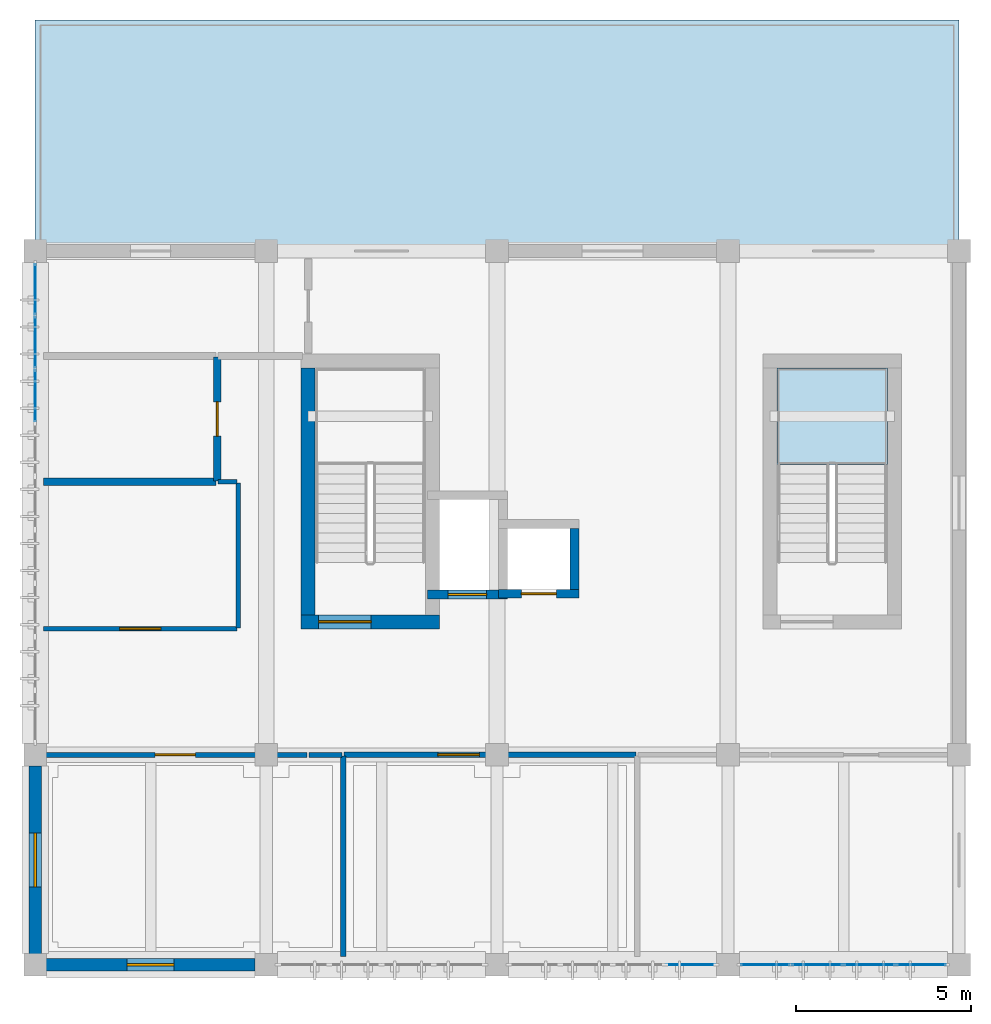
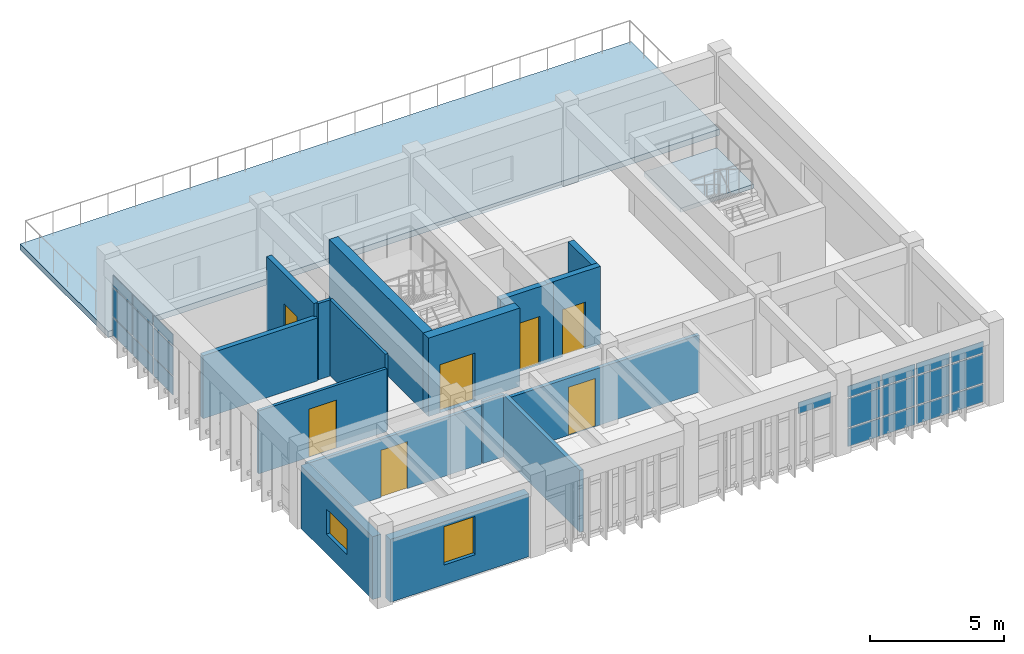
# One storey, part 4 of 8: 22 plates, 16 walls, 7 doors, 2 slabs, 2 windows, 9 openings, 4 elements without a shape of their own.
"""IFC4 building model written with IfcOpenShell, lengths in metres."""

from ifc_helpers import new_model, si_unit, direction, frame, frame_2d, origin, origin_2d, place, context, subcontext, project, spatial, polyline, rectangle, outline, extrude, material, layer, layer_set, type_object, element, fill, aggregate, save


model = new_model("IFC4")

# Units and contexts
model_context = context("Model", 3, precision=1e-05, world=origin(), true_north=direction((0.0, 1.0)))
body_context = subcontext(model_context, "Body", "Model", "MODEL_VIEW")
ifc_project = project(units=[si_unit("LENGTHUNIT", "METRE"), si_unit("AREAUNIT", "SQUARE_METRE"), si_unit("VOLUMEUNIT", "CUBIC_METRE"), si_unit("PLANEANGLEUNIT", "RADIAN"), si_unit("MASSUNIT", "GRAM", prefix="KILO")], contexts=[model_context])

# Site, building, storey
site_placement = place(None, origin())
site = spatial("IfcSite", under=ifc_project, at=site_placement, CompositionType="ELEMENT")
building_placement = place(site_placement, origin())
building = spatial("IfcBuilding", under=site, at=building_placement, Name="Miralva Faculty of Natural Sciences", CompositionType="ELEMENT")
storey_placement = place(building_placement, frame((0.0, 0.0, 36.800048828125)))
storey = spatial("IfcBuildingStorey", under=building, at=storey_placement, Name="L08", CompositionType="ELEMENT", Elevation=36.800048828125)

# Curtain wall, plate
ifc_material_1 = material(Name="Laminated solar-control glass", Category="glass")
ifc_layer_1 = layer(ifc_material_1, 0.179931640625, Name="CW-TWR-L07")
ifc_layer_set_1 = layer_set([ifc_layer_1], Name="Laminated solar-control glass")
curtain_wall_type = type_object("IfcCurtainWallType", Name="CW-TWR-L07", PredefinedType="USERDEFINED", material=ifc_layer_set_1)
curtain_wall_1_placement = place(storey_placement, origin())
curtain_wall_1 = element("IfcCurtainWall", 1, at=curtain_wall_1_placement, inside=storey, type_object=curtain_wall_type, Name="Curtain wall CW-15 L08-248", ObjectType="UNITISED CURTAIN WALL", PredefinedType="USERDEFINED")
ifc_layer_2 = layer(ifc_material_1, 0.028076171875, Name="PNL-P01")
ifc_layer_set_2 = layer_set([ifc_layer_2], Name="Laminated solar-control glass")
plate_type = type_object("IfcPlateType", Name="PNL-P01", PredefinedType="CURTAIN_PANEL", material=ifc_layer_set_2)
plate_1_placement = place(storey_placement, frame((21.72998046875, 3.0, 2.30517578125), z_axis=(0.0, 0.0, 1.0), x_axis=(1.0, 0.0, 0.0)))
plate_1 = element("IfcPlate", 2, at=plate_1_placement, type_object=plate_type, Name="CW-15 panel 4.3", PredefinedType="CURTAIN_PANEL", context=body_context, shape_type="SweptSolid", body=[
    extrude(rectangle(XDim=1.39990234375, YDim=0.028076171875, at=origin_2d()), origin(), (0.0, 0.0, 1.0), 0.510009765625),
])
aggregate(curtain_wall_1, [plate_1])

# Curtain wall, plates
curtain_wall_2_placement = place(storey_placement, origin())
curtain_wall_2 = element("IfcCurtainWall", 3, at=curtain_wall_2_placement, inside=storey, type_object=curtain_wall_type, Name="Curtain wall CW-15 L08-249", ObjectType="UNITISED CURTAIN WALL", PredefinedType="USERDEFINED")
plate_2_placement = place(storey_placement, frame((23.86865234375, 3.0, 0.059814453125), z_axis=(0.0, 0.0, 1.0), x_axis=(1.0, 0.0, 0.0)))
plate_2 = element("IfcPlate", 4, at=plate_2_placement, type_object=plate_type, Name="CW-15 panel 1.1", PredefinedType="CURTAIN_PANEL", context=body_context, shape_type="SweptSolid", body=[
    extrude(rectangle(XDim=1.3974609375, YDim=0.028076171875, at=origin_2d()), origin(), (0.0, 0.0, 1.0), 0.81005859375),
])
plate_3_placement = place(storey_placement, frame((23.86865234375, 3.0, 0.929931640625), z_axis=(0.0, 0.0, 1.0), x_axis=(1.0, 0.0, 0.0)))
plate_3 = element("IfcPlate", 5, at=plate_3_placement, type_object=plate_type, Name="CW-15 panel 1.2", PredefinedType="CURTAIN_PANEL", context=body_context, shape_type="SweptSolid", body=[
    extrude(rectangle(XDim=1.3974609375, YDim=0.028076171875, at=origin_2d()), origin(), (0.0, 0.0, 1.0), 1.31494140625),
])
plate_4_placement = place(storey_placement, frame((23.86865234375, 3.0, 2.30517578125), z_axis=(0.0, 0.0, 1.0), x_axis=(1.0, 0.0, 0.0)))
plate_4 = element("IfcPlate", 6, at=plate_4_placement, type_object=plate_type, Name="CW-15 panel 1.3", PredefinedType="CURTAIN_PANEL", context=body_context, shape_type="SweptSolid", body=[
    extrude(rectangle(XDim=1.3974609375, YDim=0.028076171875, at=origin_2d()), origin(), (0.0, 0.0, 1.0), 0.510009765625),
])
plate_5_placement = place(storey_placement, frame((25.347412109375, 3.0, 0.059814453125), z_axis=(0.0, 0.0, 1.0), x_axis=(1.0, 0.0, 0.0)))
plate_5 = element("IfcPlate", 7, at=plate_5_placement, type_object=plate_type, Name="CW-15 panel 2.1", PredefinedType="CURTAIN_PANEL", context=body_context, shape_type="SweptSolid", body=[
    extrude(rectangle(XDim=1.429931640625, YDim=0.028076171875, at=origin_2d()), origin(), (0.0, 0.0, 1.0), 0.81005859375),
])
plate_6_placement = place(storey_placement, frame((25.347412109375, 3.0, 0.929931640625), z_axis=(0.0, 0.0, 1.0), x_axis=(1.0, 0.0, 0.0)))
plate_6 = element("IfcPlate", 8, at=plate_6_placement, type_object=plate_type, Name="CW-15 panel 2.2", PredefinedType="CURTAIN_PANEL", context=body_context, shape_type="SweptSolid", body=[
    extrude(rectangle(XDim=1.429931640625, YDim=0.028076171875, at=origin_2d()), origin(), (0.0, 0.0, 1.0), 1.31494140625),
])
plate_7_placement = place(storey_placement, frame((25.347412109375, 3.0, 2.30517578125), z_axis=(0.0, 0.0, 1.0), x_axis=(1.0, 0.0, 0.0)))
plate_7 = element("IfcPlate", 9, at=plate_7_placement, type_object=plate_type, Name="CW-15 panel 2.3", PredefinedType="CURTAIN_PANEL", context=body_context, shape_type="SweptSolid", body=[
    extrude(rectangle(XDim=1.429931640625, YDim=0.028076171875, at=origin_2d()), origin(), (0.0, 0.0, 1.0), 0.510009765625),
])
plate_8_placement = place(storey_placement, frame((26.842529296875, 3.0, 0.059814453125), z_axis=(0.0, 0.0, 1.0), x_axis=(1.0, 0.0, 0.0)))
plate_8 = element("IfcPlate", 10, at=plate_8_placement, type_object=plate_type, Name="CW-15 panel 3.1", PredefinedType="CURTAIN_PANEL", context=body_context, shape_type="SweptSolid", body=[
    extrude(rectangle(XDim=1.429931640625, YDim=0.028076171875, at=origin_2d()), origin(), (0.0, 0.0, 1.0), 0.81005859375),
])
plate_9_placement = place(storey_placement, frame((26.842529296875, 3.0, 0.929931640625), z_axis=(0.0, 0.0, 1.0), x_axis=(1.0, 0.0, 0.0)))
plate_9 = element("IfcPlate", 11, at=plate_9_placement, type_object=plate_type, Name="CW-15 panel 3.2", PredefinedType="CURTAIN_PANEL", context=body_context, shape_type="SweptSolid", body=[
    extrude(rectangle(XDim=1.429931640625, YDim=0.028076171875, at=origin_2d()), origin(), (0.0, 0.0, 1.0), 1.31494140625),
])
plate_10_placement = place(storey_placement, frame((26.842529296875, 3.0, 2.30517578125), z_axis=(0.0, 0.0, 1.0), x_axis=(1.0, 0.0, 0.0)))
plate_10 = element("IfcPlate", 12, at=plate_10_placement, type_object=plate_type, Name="CW-15 panel 3.3", PredefinedType="CURTAIN_PANEL", context=body_context, shape_type="SweptSolid", body=[
    extrude(rectangle(XDim=1.429931640625, YDim=0.028076171875, at=origin_2d()), origin(), (0.0, 0.0, 1.0), 0.510009765625),
])
plate_11_placement = place(storey_placement, frame((28.3212890625, 3.0, 0.059814453125), z_axis=(0.0, 0.0, 1.0), x_axis=(1.0, 0.0, 0.0)))
plate_11 = element("IfcPlate", 13, at=plate_11_placement, type_object=plate_type, Name="CW-15 panel 4.1", PredefinedType="CURTAIN_PANEL", context=body_context, shape_type="SweptSolid", body=[
    extrude(rectangle(XDim=1.3974609375, YDim=0.028076171875, at=origin_2d()), origin(), (0.0, 0.0, 1.0), 0.81005859375),
])
plate_12_placement = place(storey_placement, frame((28.3212890625, 3.0, 0.929931640625), z_axis=(0.0, 0.0, 1.0), x_axis=(1.0, 0.0, 0.0)))
plate_12 = element("IfcPlate", 14, at=plate_12_placement, type_object=plate_type, Name="CW-15 panel 4.2", PredefinedType="CURTAIN_PANEL", context=body_context, shape_type="SweptSolid", body=[
    extrude(rectangle(XDim=1.3974609375, YDim=0.028076171875, at=origin_2d()), origin(), (0.0, 0.0, 1.0), 1.31494140625),
])
plate_13_placement = place(storey_placement, frame((28.3212890625, 3.0, 2.30517578125), z_axis=(0.0, 0.0, 1.0), x_axis=(1.0, 0.0, 0.0)))
plate_13 = element("IfcPlate", 15, at=plate_13_placement, type_object=plate_type, Name="CW-15 panel 4.3", PredefinedType="CURTAIN_PANEL", context=body_context, shape_type="SweptSolid", body=[
    extrude(rectangle(XDim=1.3974609375, YDim=0.028076171875, at=origin_2d()), origin(), (0.0, 0.0, 1.0), 0.510009765625),
])
aggregate(curtain_wall_2, [plate_2, plate_3, plate_4, plate_5, plate_6, plate_7, plate_8, plate_9, plate_10, plate_11, plate_12, plate_13])

curtain_wall_3_placement = place(storey_placement, origin())
curtain_wall_3 = element("IfcCurtainWall", 16, at=curtain_wall_3_placement, inside=storey, type_object=curtain_wall_type, Name="Curtain wall CW-15 L08-250", ObjectType="UNITISED CURTAIN WALL", PredefinedType="USERDEFINED")
plate_14_placement = place(storey_placement, frame((3.0, 19.260009765625, 0.059814453125), z_axis=(0.0, 0.0, 1.0), x_axis=(0.0, 1.0, 0.0)))
plate_14 = element("IfcPlate", 17, at=plate_14_placement, type_object=plate_type, Name="CW-15 panel 7.1", PredefinedType="CURTAIN_PANEL", context=body_context, shape_type="SweptSolid", body=[
    extrude(rectangle(XDim=1.465087890625, YDim=0.028076171875, at=origin_2d()), origin(), (0.0, 0.0, 1.0), 0.81005859375),
])
plate_15_placement = place(storey_placement, frame((3.0, 19.260009765625, 0.929931640625), z_axis=(0.0, 0.0, 1.0), x_axis=(0.0, 1.0, 0.0)))
plate_15 = element("IfcPlate", 18, at=plate_15_placement, type_object=plate_type, Name="CW-15 panel 7.2", PredefinedType="CURTAIN_PANEL", context=body_context, shape_type="SweptSolid", body=[
    extrude(rectangle(XDim=1.465087890625, YDim=0.028076171875, at=origin_2d()), origin(), (0.0, 0.0, 1.0), 1.31494140625),
])
plate_16_placement = place(storey_placement, frame((3.0, 19.260009765625, 2.30517578125), z_axis=(0.0, 0.0, 1.0), x_axis=(0.0, 1.0, 0.0)))
plate_16 = element("IfcPlate", 19, at=plate_16_placement, type_object=plate_type, Name="CW-15 panel 7.3", PredefinedType="CURTAIN_PANEL", context=body_context, shape_type="SweptSolid", body=[
    extrude(rectangle(XDim=1.465087890625, YDim=0.028076171875, at=origin_2d()), origin(), (0.0, 0.0, 1.0), 0.510009765625),
])
plate_17_placement = place(storey_placement, frame((3.0, 20.7900390625, 0.059814453125), z_axis=(0.0, 0.0, 1.0), x_axis=(0.0, 1.0, 0.0)))
plate_17 = element("IfcPlate", 20, at=plate_17_placement, type_object=plate_type, Name="CW-15 panel 8.1", PredefinedType="CURTAIN_PANEL", context=body_context, shape_type="SweptSolid", body=[
    extrude(rectangle(XDim=1.465087890625, YDim=0.028076171875, at=origin_2d()), origin(), (0.0, 0.0, 1.0), 0.81005859375),
])
plate_18_placement = place(storey_placement, frame((3.0, 20.7900390625, 0.929931640625), z_axis=(0.0, 0.0, 1.0), x_axis=(0.0, 1.0, 0.0)))
plate_18 = element("IfcPlate", 21, at=plate_18_placement, type_object=plate_type, Name="CW-15 panel 8.2", PredefinedType="CURTAIN_PANEL", context=body_context, shape_type="SweptSolid", body=[
    extrude(rectangle(XDim=1.465087890625, YDim=0.028076171875, at=origin_2d()), origin(), (0.0, 0.0, 1.0), 1.31494140625),
])
plate_19_placement = place(storey_placement, frame((3.0, 20.7900390625, 2.30517578125), z_axis=(0.0, 0.0, 1.0), x_axis=(0.0, 1.0, 0.0)))
plate_19 = element("IfcPlate", 22, at=plate_19_placement, type_object=plate_type, Name="CW-15 panel 8.3", PredefinedType="CURTAIN_PANEL", context=body_context, shape_type="SweptSolid", body=[
    extrude(rectangle(XDim=1.465087890625, YDim=0.028076171875, at=origin_2d()), origin(), (0.0, 0.0, 1.0), 0.510009765625),
])
plate_20_placement = place(storey_placement, frame((3.0, 22.3037109375, 0.059814453125), z_axis=(0.0, 0.0, 1.0), x_axis=(0.0, 1.0, 0.0)))
plate_20 = element("IfcPlate", 23, at=plate_20_placement, type_object=plate_type, Name="CW-15 panel 9.1", PredefinedType="CURTAIN_PANEL", context=body_context, shape_type="SweptSolid", body=[
    extrude(rectangle(XDim=1.4326171875, YDim=0.028076171875, at=origin_2d()), origin(), (0.0, 0.0, 1.0), 0.81005859375),
])
plate_21_placement = place(storey_placement, frame((3.0, 22.3037109375, 0.929931640625), z_axis=(0.0, 0.0, 1.0), x_axis=(0.0, 1.0, 0.0)))
plate_21 = element("IfcPlate", 24, at=plate_21_placement, type_object=plate_type, Name="CW-15 panel 9.2", PredefinedType="CURTAIN_PANEL", context=body_context, shape_type="SweptSolid", body=[
    extrude(rectangle(XDim=1.4326171875, YDim=0.028076171875, at=origin_2d()), origin(), (0.0, 0.0, 1.0), 1.31494140625),
])
plate_22_placement = place(storey_placement, frame((3.0, 22.3037109375, 2.30517578125), z_axis=(0.0, 0.0, 1.0), x_axis=(0.0, 1.0, 0.0)))
plate_22 = element("IfcPlate", 25, at=plate_22_placement, type_object=plate_type, Name="CW-15 panel 9.3", PredefinedType="CURTAIN_PANEL", context=body_context, shape_type="SweptSolid", body=[
    extrude(rectangle(XDim=1.4326171875, YDim=0.028076171875, at=origin_2d()), origin(), (0.0, 0.0, 1.0), 0.510009765625),
])
aggregate(curtain_wall_3, [plate_14, plate_15, plate_16, plate_17, plate_18, plate_19, plate_20, plate_21, plate_22])

# Stair, slab
ifc_material_2 = material(Name="Concrete C40/50", Category="concrete")
stair_type = type_object("IfcStairType", Name="ST-CORE-380", PredefinedType="HALF_TURN_STAIR", material=ifc_material_2)
stair_placement = place(storey_placement, origin())
stair = element("IfcStair", 26, at=stair_placement, inside=storey, type_object=stair_type, Name="Exit Stair Core C1B (ST-04) L08", PredefinedType="HALF_TURN_STAIR")
ifc_layer_3 = layer(ifc_material_2, 0.18994140625, Name="SL-LD01")
ifc_layer_set_3 = layer_set([ifc_layer_3], Name="Concrete C40/50")
slab_type_1 = type_object("IfcSlabType", Name="SL-LD01", PredefinedType="LANDING", material=ifc_layer_set_3)
slab_1_placement = place(storey_placement, frame((0.0, 0.0, 1.7099609375)))
slab_1 = element("IfcSlab", 27, at=slab_1_placement, type_object=slab_type_1, Name="ST-04 landing 1", PredefinedType="LANDING", context=body_context, shape_type="SweptSolid", body=[
    extrude(outline(polyline([(27.35009765625, 17.300048828125), (27.35009765625, 20.050048828125), (24.199951171875, 20.050048828125), (24.199951171875, 17.300048828125), (27.35009765625, 17.300048828125)])), origin(), (0.0, 0.0, 1.0), 0.18994140625),
])
aggregate(stair, [slab_1])

# Slab
ifc_layer_4 = layer(ifc_material_2, 0.27001953125, Name="SL-TR02")
ifc_layer_set_4 = layer_set([ifc_layer_4], Name="Concrete C40/50")
slab_type_2 = type_object("IfcSlabType", Name="SL-TR02", PredefinedType="ROOF", material=ifc_layer_set_4)
slab_2_placement = place(storey_placement, frame((0.0, 0.0, -0.27001953125)))
element("IfcSlab", 28, at=slab_2_placement, inside=storey, type_object=slab_type_2, Name="Tower Upper Roof Terrace Slab", PredefinedType="ROOF", context=body_context, shape_type="SweptSolid", body=[
    extrude(outline(polyline([(29.39990234375, 23.39990234375), (3.0, 23.39990234375), (3.0, 30.0), (29.39990234375, 30.0), (29.39990234375, 23.39990234375)])), origin(), (0.0, 0.0, 1.0), 0.27001953125),
])

# Wall, opening, door
ifc_material_3 = material(Name="Concrete C50/60", Category="concrete")
ifc_layer_5 = layer(ifc_material_3, 0.39990234375, Name="WL-CW01")
ifc_layer_set_5 = layer_set([ifc_layer_5], Name="Concrete C50/60")
wall_type_1 = type_object("IfcWallType", Name="WL-CW01", PredefinedType="SHEAR", material=ifc_layer_set_5)
wall_1_placement = place(storey_placement, frame((10.60009765625, 12.800048828125, 0.0), z_axis=(0.0, 0.0, 1.0), x_axis=(1.0, 0.0, 0.0)))
wall_1 = element("IfcWall", 29, at=wall_1_placement, inside=storey, type_object=wall_type_1, Name="Core C1 shear wall south L08", PredefinedType="SHEAR", context=body_context, shape_type="SweptSolid", body=[
    extrude(rectangle(XDim=3.949951171875, YDim=0.39990234375, at=frame_2d((1.97509765625, 0.0))), origin(), (0.0, 0.0, 1.0), 3.579833984375),
])
opening_1_placement = place(wall_1_placement, frame((0.5, 0.0, 0.0)))
opening_1 = element("IfcOpeningElement", 30, at=opening_1_placement, cuts=wall_1, Name="Opening D-11", PredefinedType="OPENING", context=body_context, shape_type="SweptSolid", body=[
    extrude(rectangle(XDim=1.5, YDim=2.199951171875, at=frame_2d((0.75, 1.10009765625))), frame((0.0, 0.2099609375, 0.0), z_axis=(0.0, -1.0, 0.0), x_axis=(1.0, 0.0, 0.0)), (0.0, 0.0, 1.0), 0.419921875),
])
ifc_material_4 = material(Name="Galvanised steel", Category="steel")
door_type_1 = type_object("IfcDoorType", Name="DR-DI11", OperationType="DOUBLE_DOOR_SINGLE_SWING", PredefinedType="DOOR", material=ifc_material_4)
door_1_placement = place(opening_1_placement, frame((1.5, 0.0, 0.0), z_axis=(0.0, 0.0, 1.0), x_axis=(-1.0, 0.0, 0.0)))
door_1 = element("IfcDoor", 31, at=door_1_placement, inside=storey, type_object=door_type_1, Name="Protected exit stair door Core C1 L08", OperationType="DOUBLE_DOOR_SINGLE_SWING", OverallHeight=2.199951171875, OverallWidth=1.5, PredefinedType="DOOR", context=body_context, shape_type="SweptSolid", body=[
    extrude(rectangle(XDim=1.5, YDim=2.199951171875, at=frame_2d((0.75, 1.10009765625))), frame((0.0, 0.02490234375, 0.0), z_axis=(0.0, -1.0, 0.0), x_axis=(1.0, 0.0, 0.0)), (0.0, 0.0, 1.0), 0.050048828125),
])
fill(opening_1, door_1)

# Wall
wall_2_placement = place(storey_placement, frame((10.800048828125, 13.0, 0.0), z_axis=(0.0, 0.0, 1.0), x_axis=(0.0, 1.0, 0.0)))
element("IfcWall", 32, at=wall_2_placement, inside=storey, type_object=wall_type_1, Name="Core C1 shear wall west L08", PredefinedType="SHEAR", context=body_context, shape_type="SweptSolid", body=[
    extrude(rectangle(XDim=7.050048828125, YDim=0.39990234375, at=frame_2d((3.52490234375, 0.0))), origin(), (0.0, 0.0, 1.0), 3.579833984375),
])

# Wall, opening, door
ifc_layer_6 = layer(ifc_material_2, 0.25, Name="WL-CW04")
ifc_layer_set_6 = layer_set([ifc_layer_6], Name="Concrete C40/50")
wall_type_2 = type_object("IfcWallType", Name="WL-CW04", PredefinedType="SHEAR", material=ifc_layer_set_6)
wall_3_placement = place(storey_placement, frame((14.205078125, 13.580078125, 0.0), z_axis=(0.0, 0.0, 1.0), x_axis=(1.0, 0.0, 0.0)))
wall_3 = element("IfcWall", 33, at=wall_3_placement, inside=storey, type_object=wall_type_2, Name="Lift L-01 hoistway front wall L08", PredefinedType="SHEAR", context=body_context, shape_type="SweptSolid", body=[
    extrude(rectangle(XDim=2.2900390625, YDim=0.25, at=frame_2d((1.14501953125, 0.0))), origin(), (0.0, 0.0, 1.0), 3.56005859375),
])
opening_2_placement = place(wall_3_placement, frame((0.594970703125, 0.0, 0.0)))
opening_2 = element("IfcOpeningElement", 34, at=opening_2_placement, cuts=wall_3, Name="Opening LD-01", PredefinedType="OPENING", context=body_context, shape_type="SweptSolid", body=[
    extrude(rectangle(XDim=1.10009765625, YDim=2.199951171875, at=frame_2d((0.550048828125, 1.10009765625))), frame((0.0, 0.135009765625, 0.0), z_axis=(0.0, -1.0, 0.0), x_axis=(1.0, 0.0, 0.0)), (0.0, 0.0, 1.0), 0.27001953125),
])
door_type_2 = type_object("IfcDoorType", Name="DR-LD01", OperationType="SLIDING_TO_LEFT", PredefinedType="DOOR", material=ifc_material_4)
door_2_placement = place(opening_2_placement, frame((1.10009765625, 0.0, 0.0), z_axis=(0.0, 0.0, 1.0), x_axis=(-1.0, 0.0, 0.0)))
door_2 = element("IfcDoor", 35, at=door_2_placement, inside=storey, type_object=door_type_2, Name="Lift L-01 sliding landing door L08", OperationType="SLIDING_TO_LEFT", OverallHeight=2.199951171875, OverallWidth=1.10009765625, PredefinedType="DOOR", context=body_context, shape_type="SweptSolid", body=[
    extrude(rectangle(XDim=1.10009765625, YDim=2.199951171875, at=frame_2d((0.550048828125, 1.10009765625))), frame((0.0, 0.02490234375, 0.0), z_axis=(0.0, -1.0, 0.0), x_axis=(1.0, 0.0, 0.0)), (0.0, 0.0, 1.0), 0.050048828125),
])
fill(opening_2, door_2)

wall_4_placement = place(storey_placement, frame((16.2451171875, 13.60498046875, 0.0), z_axis=(0.0, 0.0, 1.0), x_axis=(1.0, 0.0, 0.0)))
wall_4 = element("IfcWall", 36, at=wall_4_placement, inside=storey, type_object=wall_type_2, Name="Lift L-02 hoistway front wall L08", PredefinedType="SHEAR", context=body_context, shape_type="SweptSolid", body=[
    extrude(rectangle(XDim=2.289794921875, YDim=0.25, at=frame_2d((1.14501953125, 0.0))), origin(), (0.0, 0.0, 1.0), 3.56005859375),
])
opening_3_placement = place(wall_4_placement, frame((0.64501953125, 0.0, 0.0)))
opening_3 = element("IfcOpeningElement", 37, at=opening_3_placement, cuts=wall_4, Name="Opening LD-02", PredefinedType="OPENING", context=body_context, shape_type="SweptSolid", body=[
    extrude(rectangle(XDim=1.0, YDim=2.14990234375, at=frame_2d((0.5, 1.074951171875))), frame((0.0, 0.135009765625, 0.0), z_axis=(0.0, -1.0, 0.0), x_axis=(1.0, 0.0, 0.0)), (0.0, 0.0, 1.0), 0.27001953125),
])
door_type_3 = type_object("IfcDoorType", Name="DR-LD02", OperationType="SLIDING_TO_LEFT", PredefinedType="DOOR", material=ifc_material_4)
door_3_placement = place(opening_3_placement, frame((1.0, 0.0, 0.0), z_axis=(0.0, 0.0, 1.0), x_axis=(-1.0, 0.0, 0.0)))
door_3 = element("IfcDoor", 38, at=door_3_placement, inside=storey, type_object=door_type_3, Name="Lift L-02 sliding landing door L08", OperationType="SLIDING_TO_LEFT", OverallHeight=2.14990234375, OverallWidth=1.0, PredefinedType="DOOR", context=body_context, shape_type="SweptSolid", body=[
    extrude(rectangle(XDim=1.0, YDim=2.14990234375, at=frame_2d((0.5, 1.074951171875))), frame((0.0, 0.02490234375, 0.0), z_axis=(0.0, -1.0, 0.0), x_axis=(1.0, 0.0, 0.0)), (0.0, 0.0, 1.0), 0.050048828125),
])
fill(opening_3, door_3)

# Walls
wall_5_placement = place(storey_placement, frame((18.409912109375, 13.72998046875, 0.0), z_axis=(0.0, 0.0, 1.0), x_axis=(0.0, 1.0, 0.0)))
element("IfcWall", 39, at=wall_5_placement, inside=storey, type_object=wall_type_2, Name="Lift L-02 hoistway E wall L08", PredefinedType="SHEAR", context=body_context, shape_type="SweptSolid", body=[
    extrude(rectangle(XDim=1.739990234375, YDim=0.25, at=frame_2d((0.8701171875, 0.0))), origin(), (0.0, 0.0, 1.0), 3.56005859375),
])
ifc_material_5 = material(Name="Gypsum plasterboard")
ifc_layer_7 = layer(ifc_material_5, 0.159912109375, Name="WL-PT03")
ifc_layer_set_7 = layer_set([ifc_layer_7], Name="Gypsum plasterboard")
wall_type_3 = type_object("IfcWallType", Name="WL-PT03", PredefinedType="PARTITIONING", material=ifc_layer_set_7)
wall_6_placement = place(storey_placement, frame((11.800048828125, 3.22998046875, 0.0), z_axis=(0.0, 0.0, 1.0), x_axis=(0.0, 1.0, 0.0)))
element("IfcWall", 40, at=wall_6_placement, inside=storey, type_object=wall_type_3, Name="Interior partition PT-03 L08-527", PredefinedType="PARTITIONING", context=body_context, shape_type="SweptSolid", body=[
    extrude(rectangle(XDim=5.739990234375, YDim=0.159912109375, at=frame_2d((2.8701171875, 0.0))), origin(), (0.0, 0.0, 1.0), 2.824951171875),
])

# Wall, opening, door
wall_7_placement = place(storey_placement, frame((11.830078125, 9.0, 0.0), z_axis=(0.0, 0.0, 1.0), x_axis=(1.0, 0.0, 0.0)))
wall_7 = element("IfcWall", 41, at=wall_7_placement, inside=storey, type_object=wall_type_3, Name="Interior partition PT-03 L08-531", PredefinedType="PARTITIONING", context=body_context, shape_type="SweptSolid", body=[
    extrude(rectangle(XDim=8.33984375, YDim=0.159912109375, at=frame_2d((4.169921875, 0.0))), origin(), (0.0, 0.0, 1.0), 2.614990234375),
])
opening_4_placement = place(wall_7_placement, frame((2.679931640625, 0.0, 0.0)))
opening_4 = element("IfcOpeningElement", 42, at=opening_4_placement, cuts=wall_7, Name="Opening D-34", PredefinedType="OPENING", context=body_context, shape_type="SweptSolid", body=[
    extrude(rectangle(XDim=1.179931640625, YDim=2.199951171875, at=frame_2d((0.58984375, 1.10009765625))), frame((0.0, 0.08984375, 0.0), z_axis=(0.0, -1.0, 0.0), x_axis=(1.0, 0.0, 0.0)), (0.0, 0.0, 1.0), 0.179931640625),
])
ifc_material_6 = material(Name="Anodised aluminium", Category="aluminium")
door_type_4 = type_object("IfcDoorType", Name="DR-DI34", OperationType="NOTDEFINED", PredefinedType="DOOR", material=ifc_material_6)
door_4_placement = place(opening_4_placement, origin())
door_4 = element("IfcDoor", 43, at=door_4_placement, inside=storey, type_object=door_type_4, Name="Interior door D-34 L08-199", OperationType="SINGLE_SWING_LEFT", OverallHeight=2.199951171875, OverallWidth=1.179931640625, PredefinedType="DOOR", context=body_context, shape_type="SweptSolid", body=[
    extrude(rectangle(XDim=1.179931640625, YDim=2.199951171875, at=frame_2d((0.58984375, 1.10009765625))), frame((0.0, 0.02490234375, 0.0), z_axis=(0.0, -1.0, 0.0), x_axis=(1.0, 0.0, 0.0)), (0.0, 0.0, 1.0), 0.050048828125),
])
fill(opening_4, door_4)

ifc_layer_8 = layer(ifc_material_5, 0.139892578125, Name="WL-PT04")
ifc_layer_set_8 = layer_set([ifc_layer_8], Name="Gypsum plasterboard")
wall_type_4 = type_object("IfcWallType", Name="WL-PT04", PredefinedType="PARTITIONING", material=ifc_layer_set_8)
wall_8_placement = place(storey_placement, frame((3.22998046875, 9.0, 0.0), z_axis=(0.0, 0.0, 1.0), x_axis=(1.0, 0.0, 0.0)))
wall_8 = element("IfcWall", 44, at=wall_8_placement, inside=storey, type_object=wall_type_4, Name="Interior partition PT-04 L08-528", PredefinedType="PARTITIONING", context=body_context, shape_type="SweptSolid", body=[
    extrude(rectangle(XDim=7.5400390625, YDim=0.139892578125, at=frame_2d((3.77001953125, 0.0))), origin(), (0.0, 0.0, 1.0), 2.655029296875),
])
opening_5_placement = place(wall_8_placement, frame((3.195068359375, 0.0, 0.0)))
opening_5 = element("IfcOpeningElement", 45, at=opening_5_placement, cuts=wall_8, Name="Opening D-24", PredefinedType="OPENING", context=body_context, shape_type="SweptSolid", body=[
    extrude(rectangle(XDim=1.14990234375, YDim=2.14990234375, at=frame_2d((0.574951171875, 1.074951171875))), frame((0.0, 0.079833984375, 0.0), z_axis=(0.0, -1.0, 0.0), x_axis=(1.0, 0.0, 0.0)), (0.0, 0.0, 1.0), 0.159912109375),
])
door_type_5 = type_object("IfcDoorType", Name="DR-DI24", OperationType="NOTDEFINED", PredefinedType="DOOR", material=ifc_material_6)
door_5_placement = place(opening_5_placement, origin())
door_5 = element("IfcDoor", 46, at=door_5_placement, inside=storey, type_object=door_type_5, Name="Interior door D-24 L08-198", OperationType="SINGLE_SWING_RIGHT", OverallHeight=2.14990234375, OverallWidth=1.14990234375, PredefinedType="DOOR", context=body_context, shape_type="SweptSolid", body=[
    extrude(rectangle(XDim=1.14990234375, YDim=2.14990234375, at=frame_2d((0.574951171875, 1.074951171875))), frame((0.0, 0.02490234375, 0.0), z_axis=(0.0, -1.0, 0.0), x_axis=(1.0, 0.0, 0.0)), (0.0, 0.0, 1.0), 0.050048828125),
])
fill(opening_5, door_5)

# Walls
wall_9_placement = place(storey_placement, frame((10.830078125, 9.0, 0.0), z_axis=(0.0, 0.0, 1.0), x_axis=(1.0, 0.0, 0.0)))
element("IfcWall", 47, at=wall_9_placement, inside=storey, type_object=wall_type_4, Name="Interior partition PT-04 L08-529", PredefinedType="PARTITIONING", context=body_context, shape_type="SweptSolid", body=[
    extrude(rectangle(XDim=0.93994140625, YDim=0.139892578125, at=frame_2d((0.469970703125, 0.0))), origin(), (0.0, 0.0, 1.0), 2.824951171875),
])
ifc_layer_9 = layer(ifc_material_5, 0.125, Name="WL-PT05")
ifc_layer_set_9 = layer_set([ifc_layer_9], Name="Gypsum plasterboard")
wall_type_5 = type_object("IfcWallType", Name="WL-PT05", PredefinedType="PARTITIONING", material=ifc_layer_set_9)
wall_10_placement = place(storey_placement, frame((8.22998046875, 16.800048828125, 0.0), z_axis=(0.0, 0.0, 1.0), x_axis=(1.0, 0.0, 0.0)))
element("IfcWall", 48, at=wall_10_placement, inside=storey, type_object=wall_type_5, Name="Interior partition PT-05 L08-535", PredefinedType="PARTITIONING", context=body_context, shape_type="SweptSolid", body=[
    extrude(rectangle(XDim=0.5400390625, YDim=0.125, at=frame_2d((0.27001953125, 0.0))), origin(), (0.0, 0.0, 1.0), 3.47998046875),
])
wall_11_placement = place(storey_placement, frame((8.800048828125, 12.6298828125, 0.0), z_axis=(0.0, 0.0, 1.0), x_axis=(0.0, 1.0, 0.0)))
element("IfcWall", 49, at=wall_11_placement, inside=storey, type_object=wall_type_5, Name="Interior partition PT-05 L08-536", PredefinedType="PARTITIONING", context=body_context, shape_type="SweptSolid", body=[
    extrude(rectangle(XDim=4.14013671875, YDim=0.125, at=frame_2d((2.070068359375, 0.0))), origin(), (0.0, 0.0, 1.0), 3.47998046875),
])

# Wall, opening, door
wall_12_placement = place(storey_placement, frame((3.22998046875, 12.60009765625, 0.0), z_axis=(0.0, 0.0, 1.0), x_axis=(1.0, 0.0, 0.0)))
wall_12 = element("IfcWall", 50, at=wall_12_placement, inside=storey, type_object=wall_type_5, Name="Interior partition PT-05 L08-537", PredefinedType="PARTITIONING", context=body_context, shape_type="SweptSolid", body=[
    extrude(rectangle(XDim=5.5400390625, YDim=0.125, at=frame_2d((2.77001953125, 0.0))), origin(), (0.0, 0.0, 1.0), 2.875),
])
opening_6_placement = place(wall_12_placement, frame((2.179931640625, 0.0, 0.0)))
opening_6 = element("IfcOpeningElement", 51, at=opening_6_placement, cuts=wall_12, Name="Opening D-34", PredefinedType="OPENING", context=body_context, shape_type="SweptSolid", body=[
    extrude(rectangle(XDim=1.179931640625, YDim=2.199951171875, at=frame_2d((0.58984375, 1.10009765625))), frame((0.0, 0.072509765625, 0.0), z_axis=(0.0, -1.0, 0.0), x_axis=(1.0, 0.0, 0.0)), (0.0, 0.0, 1.0), 0.14501953125),
])
door_6_placement = place(opening_6_placement, origin())
door_6 = element("IfcDoor", 52, at=door_6_placement, inside=storey, type_object=door_type_4, Name="Interior door D-34 L08-201", OperationType="SINGLE_SWING_LEFT", OverallHeight=2.199951171875, OverallWidth=1.179931640625, PredefinedType="DOOR", context=body_context, shape_type="SweptSolid", body=[
    extrude(rectangle(XDim=1.179931640625, YDim=2.199951171875, at=frame_2d((0.58984375, 1.10009765625))), frame((0.0, 0.02490234375, 0.0), z_axis=(0.0, -1.0, 0.0), x_axis=(1.0, 0.0, 0.0)), (0.0, 0.0, 1.0), 0.050048828125),
])
fill(opening_6, door_6)

# Wall
ifc_layer_10 = layer(ifc_material_5, 0.2099609375, Name="WL-PT06")
ifc_layer_set_10 = layer_set([ifc_layer_10], Name="Gypsum plasterboard")
wall_type_6 = type_object("IfcWallType", Name="WL-PT06", PredefinedType="PLUMBINGWALL", material=ifc_layer_set_10)
wall_13_placement = place(storey_placement, frame((3.22998046875, 16.800048828125, 0.0), z_axis=(0.0, 0.0, 1.0), x_axis=(1.0, 0.0, 0.0)))
element("IfcWall", 53, at=wall_13_placement, inside=storey, type_object=wall_type_6, Name="Interior partition PT-06 L08-534", PredefinedType="PLUMBINGWALL", context=body_context, shape_type="SweptSolid", body=[
    extrude(rectangle(XDim=4.93994140625, YDim=0.2099609375, at=frame_2d((2.469970703125, 0.0))), origin(), (0.0, 0.0, 1.0), 2.875),
])

# Wall, opening, door
wall_14_placement = place(storey_placement, frame((8.199951171875, 16.830078125, 0.0), z_axis=(0.0, 0.0, 1.0), x_axis=(0.0, 1.0, 0.0)))
wall_14 = element("IfcWall", 54, at=wall_14_placement, inside=storey, type_object=wall_type_6, Name="Interior partition PT-06 L08-539", PredefinedType="PLUMBINGWALL", context=body_context, shape_type="SweptSolid", body=[
    extrude(rectangle(XDim=3.5400390625, YDim=0.2099609375, at=frame_2d((1.77001953125, 0.0))), origin(), (0.0, 0.0, 1.0), 3.47998046875),
])
opening_7_placement = place(wall_14_placement, frame((1.280029296875, 0.0, 0.0)))
opening_7 = element("IfcOpeningElement", 55, at=opening_7_placement, cuts=wall_14, Name="Opening D-26", PredefinedType="OPENING", context=body_context, shape_type="SweptSolid", body=[
    extrude(rectangle(XDim=0.97998046875, YDim=2.10009765625, at=frame_2d((0.489990234375, 1.050048828125))), frame((0.0, 0.114990234375, 0.0), z_axis=(0.0, -1.0, 0.0), x_axis=(1.0, 0.0, 0.0)), (0.0, 0.0, 1.0), 0.22998046875),
])
door_type_6 = type_object("IfcDoorType", Name="DR-DI26", OperationType="NOTDEFINED", PredefinedType="DOOR", material=ifc_material_6)
door_7_placement = place(opening_7_placement, origin())
door_7 = element("IfcDoor", 56, at=door_7_placement, inside=storey, type_object=door_type_6, Name="Interior door D-26 L08-202", OperationType="SINGLE_SWING_RIGHT", OverallHeight=2.10009765625, OverallWidth=0.97998046875, PredefinedType="DOOR", context=body_context, shape_type="SweptSolid", body=[
    extrude(rectangle(XDim=0.97998046875, YDim=2.10009765625, at=frame_2d((0.489990234375, 1.050048828125))), frame((0.0, 0.02490234375, 0.0), z_axis=(0.0, -1.0, 0.0), x_axis=(1.0, 0.0, 0.0)), (0.0, 0.0, 1.0), 0.050048828125),
])
fill(opening_7, door_7)

# Wall, opening, window
ifc_material_7 = material(Name="Volcanic tuff architectural stone", Category="masonry")
ifc_layer_11 = layer(ifc_material_7, 0.360107421875, Name="WL-WT01")
ifc_layer_set_11 = layer_set([ifc_layer_11], Name="Volcanic tuff architectural stone")
wall_type_7 = type_object("IfcWallType", Name="WL-WT01", PredefinedType="SOLIDWALL", material=ifc_layer_set_11)
wall_15_placement = place(storey_placement, frame((3.304931640625, 3.0, 0.0), z_axis=(0.0, 0.0, 1.0), x_axis=(1.0, 0.0, 0.0)))
wall_15 = element("IfcWall", 57, at=wall_15_placement, inside=storey, type_object=wall_type_7, Name="Exterior wall L08-126", PredefinedType="SOLIDWALL", context=body_context, shape_type="SweptSolid", body=[
    extrude(rectangle(XDim=5.97998046875, YDim=0.360107421875, at=frame_2d((2.989990234375, 0.0))), origin(), (0.0, 0.0, 1.0), 2.875),
])
opening_8_placement = place(wall_15_placement, frame((2.31494140625, 0.0, 0.89990234375)))
opening_8 = element("IfcOpeningElement", 58, at=opening_8_placement, cuts=wall_15, Name="Opening W-56", PredefinedType="OPENING", context=body_context, shape_type="SweptSolid", body=[
    extrude(rectangle(XDim=1.35009765625, YDim=1.75, at=frame_2d((0.675048828125, 0.875))), frame((0.0, 0.18994140625, 0.0), z_axis=(0.0, -1.0, 0.0), x_axis=(1.0, 0.0, 0.0)), (0.0, 0.0, 1.0), 0.380126953125),
])
window_type_1 = type_object("IfcWindowType", Name="WN-W56", PartitioningType="DOUBLE_PANEL_VERTICAL", PredefinedType="WINDOW", material=ifc_material_1)
window_1_placement = place(opening_8_placement, frame((1.35009765625, 0.0, 0.0), z_axis=(0.0, 0.0, 1.0), x_axis=(-1.0, 0.0, 0.0)))
window_1 = element("IfcWindow", 59, at=window_1_placement, inside=storey, type_object=window_type_1, Name="Window W-56 L08-70", OverallHeight=1.75, OverallWidth=1.35009765625, PartitioningType="DOUBLE_PANEL_VERTICAL", PredefinedType="WINDOW", context=body_context, shape_type="SweptSolid", body=[
    extrude(rectangle(XDim=1.35009765625, YDim=1.75, at=frame_2d((0.675048828125, 0.875))), frame((0.0, 0.030029296875, 0.0), z_axis=(0.0, -1.0, 0.0), x_axis=(1.0, 0.0, 0.0)), (0.0, 0.0, 1.0), 0.06005859375),
])
fill(opening_8, window_1)

wall_16_placement = place(storey_placement, frame((3.0, 3.304931640625, 0.0), z_axis=(0.0, 0.0, 1.0), x_axis=(0.0, 1.0, 0.0)))
wall_16 = element("IfcWall", 60, at=wall_16_placement, inside=storey, type_object=wall_type_7, Name="Exterior wall L08-127", PredefinedType="SOLIDWALL", context=body_context, shape_type="SweptSolid", body=[
    extrude(rectangle(XDim=5.380126953125, YDim=0.360107421875, at=frame_2d((2.68994140625, 0.0))), origin(), (0.0, 0.0, 1.0), 2.875),
])
opening_9_placement = place(wall_16_placement, frame((1.9150390625, 0.0, 0.89990234375)))
opening_9 = element("IfcOpeningElement", 61, at=opening_9_placement, cuts=wall_16, Name="Opening W-57", PredefinedType="OPENING", context=body_context, shape_type="SweptSolid", body=[
    extrude(rectangle(XDim=1.550048828125, YDim=1.14990234375, at=frame_2d((0.77490234375, 0.574951171875))), frame((0.0, 0.18994140625, 0.0), z_axis=(0.0, -1.0, 0.0), x_axis=(1.0, 0.0, 0.0)), (0.0, 0.0, 1.0), 0.380126953125),
])
window_type_2 = type_object("IfcWindowType", Name="WN-W57", PartitioningType="DOUBLE_PANEL_VERTICAL", PredefinedType="WINDOW", material=ifc_material_1)
window_2_placement = place(opening_9_placement, origin())
window_2 = element("IfcWindow", 62, at=window_2_placement, inside=storey, type_object=window_type_2, Name="Window W-57 L08-71", OverallHeight=1.14990234375, OverallWidth=1.550048828125, PartitioningType="DOUBLE_PANEL_VERTICAL", PredefinedType="WINDOW", context=body_context, shape_type="SweptSolid", body=[
    extrude(rectangle(XDim=1.550048828125, YDim=1.14990234375, at=frame_2d((0.77490234375, 0.574951171875))), frame((0.0, 0.030029296875, 0.0), z_axis=(0.0, -1.0, 0.0), x_axis=(1.0, 0.0, 0.0)), (0.0, 0.0, 1.0), 0.06005859375),
])
fill(opening_9, window_2)

save(model, "model.ifc")
